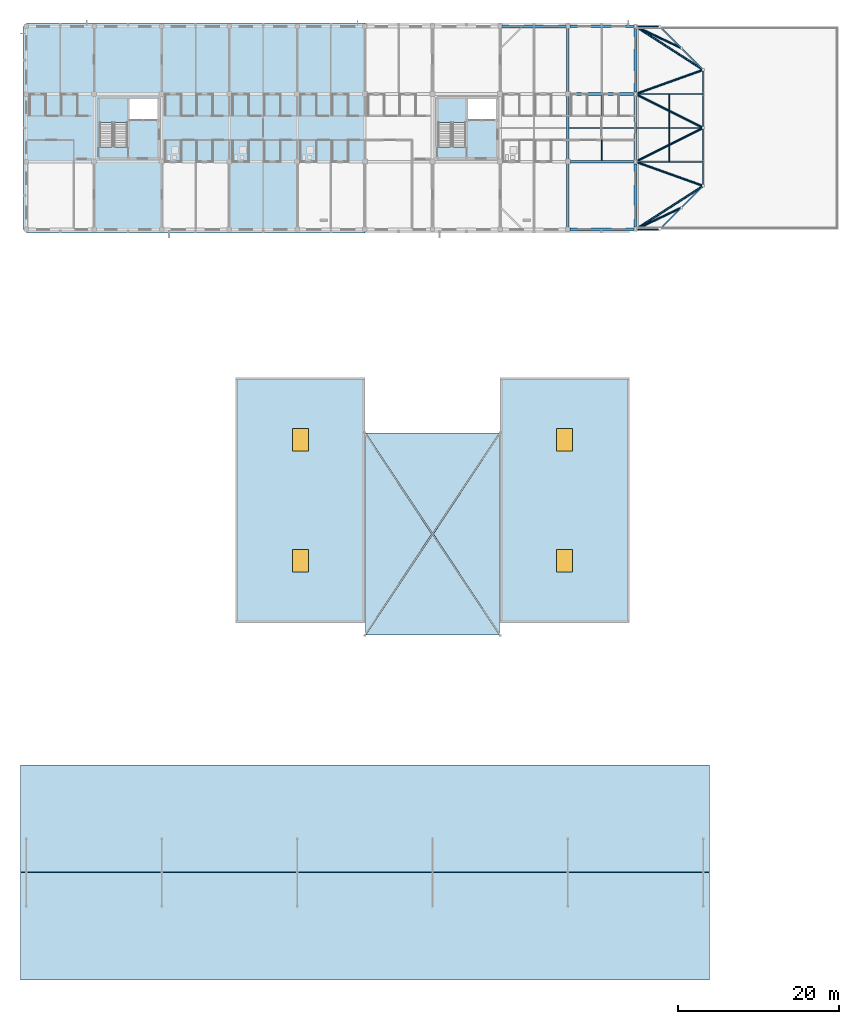
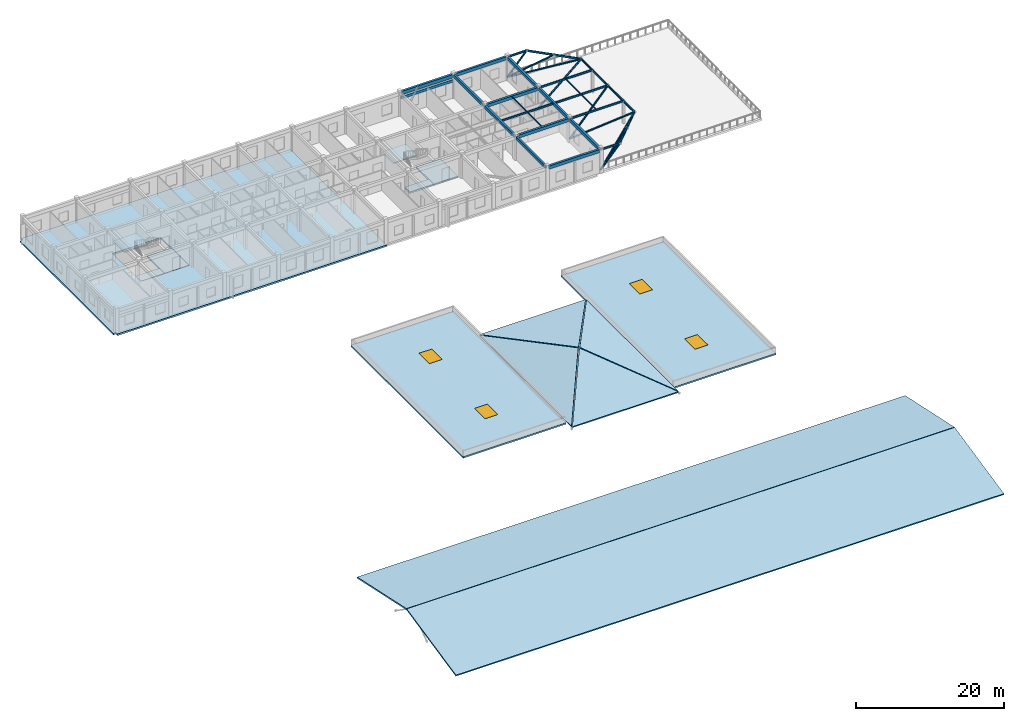
# One storey, part 4 of 21: 25 beams, 15 slabs, 10 members, 4 windows, 4 openings, 2 elements without a shape of their own.
"""IFC4 building model written with IfcOpenShell, lengths in metres."""

from ifc_helpers import new_model, si_unit, direction, frame, origin, origin_2d, place, context, subcontext, project, spatial, polyline, rectangle, hollow_circle, i_section, outline, extrude, material, layer, layer_set, material_profile, profile_set, type_object, element, fill, aggregate, save


model = new_model("IFC4")

# Units and contexts
model_context = context("Model", 3, precision=1e-05, world=origin(), true_north=direction((0.0, 1.0)))
body_context = subcontext(model_context, "Body", "Model", "MODEL_VIEW")
ifc_project = project(units=[si_unit("LENGTHUNIT", "METRE"), si_unit("AREAUNIT", "SQUARE_METRE"), si_unit("VOLUMEUNIT", "CUBIC_METRE"), si_unit("PLANEANGLEUNIT", "RADIAN"), si_unit("MASSUNIT", "GRAM", prefix="KILO")], contexts=[model_context])

# Site, building, storey
site_placement = place(None, origin())
site = spatial("IfcSite", under=ifc_project, at=site_placement, CompositionType="ELEMENT")
building_placement = place(site_placement, origin())
building = spatial("IfcBuilding", under=site, at=building_placement, Name="Trelvath General Hospital", CompositionType="ELEMENT")
storey_placement = place(building_placement, frame((0.0, 0.0, 28.800048828125)))
storey = spatial("IfcBuildingStorey", under=building, at=storey_placement, Name="L07", CompositionType="ELEMENT", Elevation=28.800048828125)

# Beams
ifc_material_1 = material(Name="Concrete C35/45", Category="concrete")
ifc_material_profile_1 = material_profile(ifc_material_1, rectangle(XDim=0.320068359375, YDim=0.47998046875, at=origin_2d()), Name="RCB320x480")
ifc_profile_set_1 = profile_set([ifc_material_profile_1], Name="Concrete C35/45")
beam_type_1 = type_object("IfcBeamType", Name="Beam RC320x480", PredefinedType="BEAM", material=ifc_profile_set_1)
beam_1_placement = place(storey_placement, frame((100.800048828125, 92.669921875, 3.679931640625), z_axis=(0.0, 1.0, 0.0), x_axis=(-1.0, 0.0, 0.0)))
element("IfcBeam", 1, at=beam_1_placement, inside=storey, type_object=beam_type_1, Name="Grid Beam BY-712L", PredefinedType="BEAM", context=body_context, shape_type="SweptSolid", body=[
    extrude(rectangle(XDim=0.320068359375, YDim=0.47998046875, at=origin_2d()), origin(), (0.0, 0.0, 1.0), 7.8251953125),
])
beam_2_placement = place(storey_placement, frame((100.800048828125, 101.10498046875, 3.679931640625), z_axis=(0.0, 1.0, 0.0), x_axis=(-1.0, 0.0, 0.0)))
element("IfcBeam", 2, at=beam_2_placement, inside=storey, type_object=beam_type_1, Name="Grid Beam BY-712M", PredefinedType="BEAM", context=body_context, shape_type="SweptSolid", body=[
    extrude(rectangle(XDim=0.320068359375, YDim=0.47998046875, at=origin_2d()), origin(), (0.0, 0.0, 1.0), 7.7900390625),
])
beam_3_placement = place(storey_placement, frame((100.800048828125, 109.5048828125, 3.679931640625), z_axis=(0.0, 1.0, 0.0), x_axis=(-1.0, 0.0, 0.0)))
element("IfcBeam", 3, at=beam_3_placement, inside=storey, type_object=beam_type_1, Name="Grid Beam BY-712N", PredefinedType="BEAM", context=body_context, shape_type="SweptSolid", body=[
    extrude(rectangle(XDim=0.320068359375, YDim=0.47998046875, at=origin_2d()), origin(), (0.0, 0.0, 1.0), 7.8251953125),
])
beam_4_placement = place(storey_placement, frame((109.199951171875, 92.669921875, 3.679931640625), z_axis=(0.0, 1.0, 0.0), x_axis=(-1.0, 0.0, 0.0)))
element("IfcBeam", 4, at=beam_4_placement, inside=storey, type_object=beam_type_1, Name="Grid Beam BY-713L", PredefinedType="BEAM", context=body_context, shape_type="SweptSolid", body=[
    extrude(rectangle(XDim=0.320068359375, YDim=0.47998046875, at=origin_2d()), origin(), (0.0, 0.0, 1.0), 7.860107421875),
])
beam_5_placement = place(storey_placement, frame((109.199951171875, 101.070068359375, 3.679931640625), z_axis=(0.0, 1.0, 0.0), x_axis=(-1.0, 0.0, 0.0)))
element("IfcBeam", 5, at=beam_5_placement, inside=storey, type_object=beam_type_1, Name="Grid Beam BY-713M", PredefinedType="BEAM", context=body_context, shape_type="SweptSolid", body=[
    extrude(rectangle(XDim=0.320068359375, YDim=0.47998046875, at=origin_2d()), origin(), (0.0, 0.0, 1.0), 7.85986328125),
])
beam_6_placement = place(storey_placement, frame((109.199951171875, 109.469970703125, 3.679931640625), z_axis=(0.0, 1.0, 0.0), x_axis=(-1.0, 0.0, 0.0)))
element("IfcBeam", 6, at=beam_6_placement, inside=storey, type_object=beam_type_1, Name="Grid Beam BY-713N", PredefinedType="BEAM", context=body_context, shape_type="SweptSolid", body=[
    extrude(rectangle(XDim=0.320068359375, YDim=0.47998046875, at=origin_2d()), origin(), (0.0, 0.0, 1.0), 7.860107421875),
])
ifc_material_2 = material(Name="Concrete C35/45", Category="concrete")
ifc_material_profile_2 = material_profile(ifc_material_2, rectangle(XDim=0.340087890625, YDim=0.52001953125, at=origin_2d()), Name="RCB340x520")
ifc_profile_set_2 = profile_set([ifc_material_profile_2], Name="Concrete C35/45")
beam_type_2 = type_object("IfcBeamType", Name="Beam RC340x520", PredefinedType="BEAM", material=ifc_profile_set_2)
beam_7_placement = place(storey_placement, frame((101.070068359375, 92.39990234375, 3.659912109375), z_axis=(1.0, 0.0, 0.0), x_axis=(0.0, 1.0, 0.0)))
element("IfcBeam", 7, at=beam_7_placement, inside=storey, type_object=beam_type_2, Name="Grid Beam BX-712L", PredefinedType="BEAM", context=body_context, shape_type="SweptSolid", body=[
    extrude(rectangle(XDim=0.340087890625, YDim=0.52001953125, at=origin_2d()), origin(), (0.0, 0.0, 1.0), 7.85986328125),
])
for number, where, z_axis, x_axis, name in (
    (8, (101.10498046875, 100.800048828125, 3.659912109375), (1.0, 0.0, 0.0), (0.0, 1.0, 0.0), "Grid Beam BX-712M"),
    (9, (101.10498046875, 109.199951171875, 3.659912109375), (1.0, 0.0, 0.0), (0.0, 1.0, 0.0), "Grid Beam BX-712N"),
):
    element("IfcBeam", number, at=place(storey_placement, frame(where, z_axis=z_axis, x_axis=x_axis)), inside=storey, type_object=beam_type_2, Name=name, PredefinedType="BEAM", context=body_context, shape_type="SweptSolid", body=[
        extrude(rectangle(XDim=0.340087890625, YDim=0.52001953125, at=origin_2d()), origin(), (0.0, 0.0, 1.0), 7.824951171875),
    ])
beam_8_placement = place(storey_placement, frame((101.070068359375, 117.60009765625, 3.659912109375), z_axis=(1.0, 0.0, 0.0), x_axis=(0.0, 1.0, 0.0)))
element("IfcBeam", 10, at=beam_8_placement, inside=storey, type_object=beam_type_2, Name="Grid Beam BX-712O", PredefinedType="BEAM", context=body_context, shape_type="SweptSolid", body=[
    extrude(rectangle(XDim=0.340087890625, YDim=0.52001953125, at=origin_2d()), origin(), (0.0, 0.0, 1.0), 7.85986328125),
])
ifc_material_3 = material(Name="Concrete C35/45", Category="concrete")
ifc_material_profile_3 = material_profile(ifc_material_3, rectangle(XDim=0.35009765625, YDim=0.550048828125, at=origin_2d()), Name="RCB350x550")
ifc_profile_set_3 = profile_set([ifc_material_profile_3], Name="Concrete C35/45")
beam_type_3 = type_object("IfcBeamType", Name="Beam RC350x550", PredefinedType="BEAM", material=ifc_profile_set_3)
beam_9_placement = place(storey_placement, frame((92.669921875, 117.60009765625, 3.64501953125), z_axis=(1.0, 0.0, 0.0), x_axis=(0.0, 1.0, 0.0)))
element("IfcBeam", 11, at=beam_9_placement, inside=storey, type_object=beam_type_3, Name="Grid Beam BX-711O", PredefinedType="BEAM", context=body_context, shape_type="SweptSolid", body=[
    extrude(rectangle(XDim=0.35009765625, YDim=0.550048828125, at=origin_2d()), origin(), (0.0, 0.0, 1.0), 7.860107421875),
])
ifc_material_4 = material(Name="Steel S355", Category="steel")
ifc_material_profile_4 = material_profile(ifc_material_4, i_section(OverallWidth=0.14990234375, OverallDepth=0.300048828125, WebThickness=0.007080078125, FlangeThickness=0.0107421875, at=origin_2d()), Name="IPE300")
ifc_profile_set_4 = profile_set([ifc_material_profile_4], Name="Steel S355")
beam_type_4 = type_object("IfcBeamType", Name="HelipadBeam IPE300", PredefinedType="BEAM", material=ifc_profile_set_4)
beam_10_placement = place(storey_placement, frame((109.199951171875, 92.39990234375, 3.7099609375), z_axis=(1.0, 0.0, 0.0), x_axis=(0.0, 1.0, 0.0)))
element("IfcBeam", 12, at=beam_10_placement, inside=storey, type_object=beam_type_4, Name="Helipad Octagonal Rim Beam 1", PredefinedType="BEAM", context=body_context, shape_type="SweptSolid", body=[
    extrude(i_section(OverallWidth=0.14990234375, OverallDepth=0.300048828125, WebThickness=0.007080078125, FlangeThickness=0.0107421875, at=origin_2d()), origin(), (0.0, 0.0, 1.0), 3.0),
])
beam_11_placement = place(storey_placement, frame((112.199951171875, 92.39990234375, 3.7099609375), z_axis=(0.707106781187, 0.707106781187, 0.0), x_axis=(-0.707106781187, 0.707106781187, 0.0)))
element("IfcBeam", 13, at=beam_11_placement, inside=storey, type_object=beam_type_4, Name="Helipad Octagonal Rim Beam 2", PredefinedType="BEAM", context=body_context, shape_type="SweptSolid", body=[
    extrude(i_section(OverallWidth=0.14990234375, OverallDepth=0.300048828125, WebThickness=0.007080078125, FlangeThickness=0.0107421875, at=origin_2d()), origin(), (0.0, 0.0, 1.0), 7.636962890625),
])
beam_12_placement = place(storey_placement, frame((117.60009765625, 97.800048828125, 3.7099609375), z_axis=(0.0, 1.0, 0.0), x_axis=(-1.0, 0.0, 0.0)))
element("IfcBeam", 14, at=beam_12_placement, inside=storey, type_object=beam_type_4, Name="Helipad Octagonal Rim Beam 3", PredefinedType="BEAM", context=body_context, shape_type="SweptSolid", body=[
    extrude(i_section(OverallWidth=0.14990234375, OverallDepth=0.300048828125, WebThickness=0.007080078125, FlangeThickness=0.0107421875, at=origin_2d()), origin(), (0.0, 0.0, 1.0), 14.39990234375),
])
beam_13_placement = place(storey_placement, frame((117.60009765625, 112.199951171875, 3.7099609375), z_axis=(-0.707106781187, 0.707106781187, 0.0), x_axis=(-0.707106781187, -0.707106781187, 0.0)))
element("IfcBeam", 15, at=beam_13_placement, inside=storey, type_object=beam_type_4, Name="Helipad Octagonal Rim Beam 4", PredefinedType="BEAM", context=body_context, shape_type="SweptSolid", body=[
    extrude(i_section(OverallWidth=0.14990234375, OverallDepth=0.300048828125, WebThickness=0.007080078125, FlangeThickness=0.0107421875, at=origin_2d()), origin(), (0.0, 0.0, 1.0), 7.636962890625),
])
beam_14_placement = place(storey_placement, frame((112.199951171875, 117.60009765625, 3.7099609375), z_axis=(-1.0, 0.0, 0.0), x_axis=(0.0, -1.0, 0.0)))
element("IfcBeam", 16, at=beam_14_placement, inside=storey, type_object=beam_type_4, Name="Helipad Octagonal Rim Beam 5", PredefinedType="BEAM", context=body_context, shape_type="SweptSolid", body=[
    extrude(i_section(OverallWidth=0.14990234375, OverallDepth=0.300048828125, WebThickness=0.007080078125, FlangeThickness=0.0107421875, at=origin_2d()), origin(), (0.0, 0.0, 1.0), 3.0),
])
beam_15_placement = place(storey_placement, frame((100.9599609375, 105.0, 3.7099609375), z_axis=(1.0, 0.0, 0.0), x_axis=(0.0, 1.0, 0.0)))
element("IfcBeam", 17, at=beam_15_placement, inside=storey, type_object=beam_type_4, Name="Helipad Stiffener Beam HB-X2", PredefinedType="BEAM", context=body_context, shape_type="SweptSolid", body=[
    extrude(i_section(OverallWidth=0.14990234375, OverallDepth=0.300048828125, WebThickness=0.007080078125, FlangeThickness=0.0107421875, at=origin_2d()), origin(), (0.0, 0.0, 1.0), 8.080078125),
])
for number, where, z_axis, x_axis, name in (
    (18, (109.360107421875, 105.0, 3.7099609375), (1.0, 0.0, 0.0), (0.0, 1.0, 0.0), "Helipad Stiffener Beam HB-X3"),
    (19, (109.360107421875, 100.800048828125, 3.7099609375), (1.0, 0.0, 0.0), (0.0, 1.0, 0.0), "Helipad Cantilever Girder HB-X4"),
    (20, (109.360107421875, 109.199951171875, 3.7099609375), (1.0, 0.0, 0.0), (0.0, 1.0, 0.0), "Helipad Cantilever Girder HB-X5"),
):
    element("IfcBeam", number, at=place(storey_placement, frame(where, z_axis=z_axis, x_axis=x_axis)), inside=storey, type_object=beam_type_4, Name=name, PredefinedType="BEAM", context=body_context, shape_type="SweptSolid", body=[
        extrude(i_section(OverallWidth=0.14990234375, OverallDepth=0.300048828125, WebThickness=0.007080078125, FlangeThickness=0.0107421875, at=origin_2d()), origin(), (0.0, 0.0, 1.0), 8.239990234375),
    ])
ifc_material_5 = material(Name="Steel S355", Category="steel")
ifc_material_profile_5 = material_profile(ifc_material_5, i_section(OverallWidth=0.10009765625, OverallDepth=0.199951171875, WebThickness=0.005615234375, FlangeThickness=0.008544921875, at=origin_2d()), Name="IPE200")
ifc_profile_set_5 = profile_set([ifc_material_profile_5], Name="Steel S355")
beam_type_5 = type_object("IfcBeamType", Name="HelipadJoist IPE200", PredefinedType="JOIST", material=ifc_profile_set_5)
for number, where, z_axis, x_axis, name in (
    (21, (105.0, 100.9599609375, 3.760009765625), (0.0, 1.0, 0.0), (-1.0, 0.0, 0.0), "Helipad Deck Joist HJ-3"),
    (22, (105.0, 105.074951171875, 3.760009765625), (0.0, 1.0, 0.0), (-1.0, 0.0, 0.0), "Helipad Deck Joist HJ-4"),
):
    element("IfcBeam", number, at=place(storey_placement, frame(where, z_axis=z_axis, x_axis=x_axis)), inside=storey, type_object=beam_type_5, Name=name, PredefinedType="JOIST", context=body_context, shape_type="SweptSolid", body=[
        extrude(i_section(OverallWidth=0.10009765625, OverallDepth=0.199951171875, WebThickness=0.005615234375, FlangeThickness=0.008544921875, at=origin_2d()), origin(), (0.0, 0.0, 1.0), 3.965087890625),
    ])
for number, where, z_axis, x_axis, name in (
    (23, (113.39990234375, 100.875, 3.760009765625), (0.0, 1.0, 0.0), (-1.0, 0.0, 0.0), "Helipad Deck Joist HJ-5"),
    (24, (113.39990234375, 105.074951171875, 3.760009765625), (0.0, 1.0, 0.0), (-1.0, 0.0, 0.0), "Helipad Deck Joist HJ-6"),
):
    element("IfcBeam", number, at=place(storey_placement, frame(where, z_axis=z_axis, x_axis=x_axis)), inside=storey, type_object=beam_type_5, Name=name, PredefinedType="JOIST", context=body_context, shape_type="SweptSolid", body=[
        extrude(i_section(OverallWidth=0.10009765625, OverallDepth=0.199951171875, WebThickness=0.005615234375, FlangeThickness=0.008544921875, at=origin_2d()), origin(), (0.0, 0.0, 1.0), 4.050048828125),
    ])

# Members
ifc_material_6 = material(Name="Steel S355", Category="steel")
ifc_material_profile_6 = material_profile(ifc_material_6, hollow_circle(Radius=0.136474609375, WallThickness=0.012451171875, at=origin_2d()), Name="CHS273.0x12.5")
ifc_profile_set_6 = profile_set([ifc_material_profile_6], Name="Steel S355")
member_type = type_object("IfcMemberType", Name="HelipadStrut CHS273", PredefinedType="STRUT", material=ifc_profile_set_6)
member_1_placement = place(storey_placement, frame((109.199951171875, 92.39990234375, 0.39990234375), z_axis=(0.671551306301, 0.0, 0.740958057521), x_axis=(0.0, 1.0, 0.0)))
element("IfcMember", 25, at=member_1_placement, inside=storey, type_object=member_type, Name="Helipad Cantilever Raking Strut HS-01", PredefinedType="STRUT", context=body_context, shape_type="SweptSolid", body=[
    extrude(hollow_circle(Radius=0.136474609375, WallThickness=0.012451171875, at=origin_2d()), origin(), (0.0, 0.0, 1.0), 4.46728515625),
])
member_2_placement = place(storey_placement, frame((109.199951171875, 92.39990234375, 0.39990234375), z_axis=(0.798456466811, 0.513298415712, 0.31462995254), x_axis=(-0.540761298198, 0.841176092368, 0.0)))
element("IfcMember", 26, at=member_2_placement, inside=storey, type_object=member_type, Name="Helipad Cantilever Raking Strut HS-02", PredefinedType="STRUT", context=body_context, shape_type="SweptSolid", body=[
    extrude(hollow_circle(Radius=0.136474609375, WallThickness=0.012451171875, at=origin_2d()), origin(), (0.0, 0.0, 1.0), 10.5205078125),
])
member_3_placement = place(storey_placement, frame((109.199951171875, 100.800048828125, 0.39990234375), z_axis=(0.882911367585, -0.315319989679, 0.347909213873), x_axis=(0.336331195321, 0.94174376932, 0.0)))
element("IfcMember", 27, at=member_3_placement, inside=storey, type_object=member_type, Name="Helipad Cantilever Raking Strut HS-03", PredefinedType="STRUT", context=body_context, shape_type="SweptSolid", body=[
    extrude(hollow_circle(Radius=0.136474609375, WallThickness=0.012451171875, at=origin_2d()), origin(), (0.0, 0.0, 1.0), 9.51416015625),
])
for number, where, z_axis, x_axis, name in (
    (28, (109.199951171875, 100.800048828125, 0.39990234375), (0.843571309281, 0.421773395924, 0.332407353481), (-0.447203197209, 0.89443239007, 0.0), "Helipad Cantilever Raking Strut HS-04"),
    (29, (109.199951171875, 109.199951171875, 0.39990234375), (0.843571309281, -0.421773395924, 0.332407353481), (0.447203197209, 0.89443239007, 0.0), "Helipad Cantilever Raking Strut HS-05"),
):
    element("IfcMember", number, at=place(storey_placement, frame(where, z_axis=z_axis, x_axis=x_axis)), inside=storey, type_object=member_type, Name=name, PredefinedType="STRUT", context=body_context, shape_type="SweptSolid", body=[
        extrude(hollow_circle(Radius=0.136474609375, WallThickness=0.012451171875, at=origin_2d()), origin(), (0.0, 0.0, 1.0), 9.957763671875),
    ])
member_4_placement = place(storey_placement, frame((109.199951171875, 109.199951171875, 0.39990234375), z_axis=(0.882911367585, 0.315319989679, 0.347909213873), x_axis=(-0.336331195321, 0.94174376932, 0.0)))
element("IfcMember", 30, at=member_4_placement, inside=storey, type_object=member_type, Name="Helipad Cantilever Raking Strut HS-06", PredefinedType="STRUT", context=body_context, shape_type="SweptSolid", body=[
    extrude(hollow_circle(Radius=0.136474609375, WallThickness=0.012451171875, at=origin_2d()), origin(), (0.0, 0.0, 1.0), 9.51416015625),
])
member_5_placement = place(storey_placement, frame((109.199951171875, 117.60009765625, 0.39990234375), z_axis=(0.798456466811, -0.513298415712, 0.31462995254), x_axis=(0.540761298198, 0.841176092368, 0.0)))
element("IfcMember", 31, at=member_5_placement, inside=storey, type_object=member_type, Name="Helipad Cantilever Raking Strut HS-07", PredefinedType="STRUT", context=body_context, shape_type="SweptSolid", body=[
    extrude(hollow_circle(Radius=0.136474609375, WallThickness=0.012451171875, at=origin_2d()), origin(), (0.0, 0.0, 1.0), 10.5205078125),
])
member_6_placement = place(storey_placement, frame((109.199951171875, 117.60009765625, 0.39990234375), z_axis=(0.671551306301, 0.0, 0.740958057521), x_axis=(0.0, 1.0, 0.0)))
element("IfcMember", 32, at=member_6_placement, inside=storey, type_object=member_type, Name="Helipad Cantilever Raking Strut HS-08", PredefinedType="STRUT", context=body_context, shape_type="SweptSolid", body=[
    extrude(hollow_circle(Radius=0.136474609375, WallThickness=0.012451171875, at=origin_2d()), origin(), (0.0, 0.0, 1.0), 4.46728515625),
])
for number, where, z_axis, x_axis, name in (
    (33, (109.199951171875, 92.39990234375, 0.39990234375), (0.800218897297, 0.379081723738, 0.464700724271), (-0.428114631419, 0.903724439398, 0.0), "Helipad Cantilever Raking Strut HS-09"),
    (34, (109.199951171875, 117.60009765625, 0.39990234375), (0.800218897297, -0.379081723738, 0.464700724271), (0.428114631419, 0.903724439398, 0.0), "Helipad Cantilever Raking Strut HS-10"),
):
    element("IfcMember", number, at=place(storey_placement, frame(where, z_axis=z_axis, x_axis=x_axis)), inside=storey, type_object=member_type, Name=name, PredefinedType="STRUT", context=body_context, shape_type="SweptSolid", body=[
        extrude(hollow_circle(Radius=0.136474609375, WallThickness=0.012451171875, at=origin_2d()), origin(), (0.0, 0.0, 1.0), 7.123046875),
    ])

# Beam
ifc_material_7 = material(Name="Precast concrete C40/50", Category="concrete")
ifc_material_profile_7 = material_profile(ifc_material_7, rectangle(XDim=0.35009765625, YDim=0.419921875, at=origin_2d()), Name="PCL350x420")
ifc_profile_set_7 = profile_set([ifc_material_profile_7], Name="Precast concrete C40/50")
beam_type_6 = type_object("IfcBeamType", Name="Lintel PC350x420", PredefinedType="LINTEL", material=ifc_profile_set_7)
beam_16_placement = place(storey_placement, frame((92.590087890625, 117.60009765625, 2.869873046875), z_axis=(1.0, 0.0, 0.0), x_axis=(0.0, 1.0, 0.0)))
element("IfcBeam", 35, at=beam_16_placement, inside=storey, type_object=beam_type_6, Name="Precast Window Brow Lintel L07-626", PredefinedType="LINTEL", context=body_context, shape_type="SweptSolid", body=[
    extrude(rectangle(XDim=0.35009765625, YDim=0.419921875, at=origin_2d()), origin(), (0.0, 0.0, 1.0), 8.02001953125),
])

# Slabs
ifc_material_8 = material(Name="Concrete C35/45", Category="concrete")
ifc_layer_1 = layer(ifc_material_8, 0.260009765625)
ifc_layer_set_1 = layer_set([ifc_layer_1], Name="Concrete C35/45")
slab_type_1 = type_object("IfcSlabType", Name="FlatSlab Ward260", PredefinedType="FLOOR", material=ifc_layer_set_1)
slab_1_placement = place(storey_placement, frame((0.0, 0.0, -0.260009765625)))
element("IfcSlab", 36, at=slab_1_placement, inside=storey, type_object=slab_type_1, Name="Floor Slab SL-L07-V5-N1", PredefinedType="FLOOR", context=body_context, shape_type="SweptSolid", body=[
    extrude(outline(polyline([(75.580078125, 92.3798828125), (75.60009765625, 92.3798828125), (75.60009765625, 91.97998046875), (33.60009765625, 91.97998046875), (33.60009765625, 92.39990234375), (33.179931640625, 92.39990234375), (33.179931640625, 117.60009765625), (33.60009765625, 117.60009765625), (33.60009765625, 118.02001953125), (75.60009765625, 118.02001953125), (75.60009765625, 117.6201171875), (75.580078125, 117.6201171875), (75.60009765625, 117.60009765625), (75.60009765625, 92.39990234375), (75.580078125, 92.3798828125)]), holes=[polyline([(42.550048828125, 101.199951171875), (50.050048828125, 101.199951171875), (50.050048828125, 108.75), (42.550048828125, 108.75), (42.550048828125, 101.199951171875)])]), origin(), (0.0, 0.0, 1.0), 0.260009765625),
])
slab_2_placement = place(storey_placement, frame((0.0, 0.0, -0.260009765625)))
element("IfcSlab", 37, at=slab_2_placement, inside=storey, type_object=slab_type_1, Name="Core Lobby Slab C1 L07", PredefinedType="FLOOR", context=body_context, shape_type="SweptSolid", body=[
    extrude(outline(polyline([(46.25, 101.199951171875), (50.050048828125, 101.199951171875), (50.050048828125, 105.949951171875), (46.25, 105.949951171875), (46.25, 101.199951171875)])), origin(), (0.0, 0.0, 1.0), 0.260009765625),
])
slab_3_placement = place(storey_placement, frame((0.0, 0.0, -0.260009765625)))
element("IfcSlab", 38, at=slab_3_placement, inside=storey, type_object=slab_type_1, Name="Stair Landing Slab C1 L07", PredefinedType="FLOOR", context=body_context, shape_type="SweptSolid", body=[
    extrude(outline(polyline([(42.550048828125, 101.199951171875), (46.25, 101.199951171875), (46.25, 102.60009765625), (42.550048828125, 102.60009765625), (42.550048828125, 101.199951171875)])), origin(), (0.0, 0.0, 1.0), 0.260009765625),
])
slab_4_placement = place(storey_placement, frame((0.0, 0.0, -0.260009765625)))
element("IfcSlab", 39, at=slab_4_placement, inside=storey, type_object=slab_type_1, Name="Core Lobby Slab C2 L07", PredefinedType="FLOOR", context=body_context, shape_type="SweptSolid", body=[
    extrude(outline(polyline([(88.25, 101.199951171875), (92.050048828125, 101.199951171875), (92.050048828125, 105.949951171875), (88.25, 105.949951171875), (88.25, 101.199951171875)])), origin(), (0.0, 0.0, 1.0), 0.260009765625),
])
slab_5_placement = place(storey_placement, frame((0.0, 0.0, -0.260009765625)))
element("IfcSlab", 40, at=slab_5_placement, inside=storey, type_object=slab_type_1, Name="Stair Landing Slab C2 L07", PredefinedType="FLOOR", context=body_context, shape_type="SweptSolid", body=[
    extrude(outline(polyline([(84.550048828125, 101.199951171875), (88.25, 101.199951171875), (88.25, 102.60009765625), (84.550048828125, 102.60009765625), (84.550048828125, 101.199951171875)])), origin(), (0.0, 0.0, 1.0), 0.260009765625),
])

# Slab, openings, windows
ifc_material_9 = material(Name="Concrete C35/45", Category="concrete")
ifc_layer_2 = layer(ifc_material_9, 0.25)
ifc_layer_set_2 = layer_set([ifc_layer_2], Name="Concrete C35/45")
slab_type_2 = type_object("IfcSlabType", Name="RoofSlab Flat250", PredefinedType="ROOF", material=ifc_layer_set_2)
slab_6_placement = place(storey_placement, frame((0.0, 0.0, -0.25)))
slab_6 = element("IfcSlab", 41, at=slab_6_placement, inside=storey, type_object=slab_type_2, Name="Crystal Cube Crown Roof CUBE-W-CROWN", PredefinedType="ROOF", context=body_context, shape_type="SweptSolid", body=[
    extrude(outline(polyline([(59.60009765625, 43.60009765625), (75.60009765625, 43.60009765625), (75.60009765625, 74.0), (59.60009765625, 74.0), (59.60009765625, 43.60009765625)])), origin(), (0.0, 0.0, 1.0), 0.25),
])
opening_1_placement = place(slab_6_placement, frame((67.60009765625, 51.300048828125, 0.0)))
opening_1 = element("IfcOpeningElement", 42, at=opening_1_placement, cuts=slab_6, Name="Opening SK-CW1", PredefinedType="OPENING", context=body_context, shape_type="SweptSolid", body=[
    extrude(rectangle(XDim=2.0, YDim=2.800048828125, at=origin_2d()), origin(), (0.0, 0.0, 1.0), 0.25),
])
opening_2_placement = place(slab_6_placement, frame((67.60009765625, 66.300048828125, 0.0)))
opening_2 = element("IfcOpeningElement", 43, at=opening_2_placement, cuts=slab_6, Name="Opening SK-CW2", PredefinedType="OPENING", context=body_context, shape_type="SweptSolid", body=[
    extrude(rectangle(XDim=2.0, YDim=2.800048828125, at=origin_2d()), origin(), (0.0, 0.0, 1.0), 0.25),
])
ifc_material_10 = material(Name="Low-E laminated glass", Category="glass")
window_type = type_object("IfcWindowType", Name="Skylight ClinicCourt 2000x2800", PartitioningType="SINGLE_PANEL", PredefinedType="SKYLIGHT", material=ifc_material_10)
window_1_placement = place(opening_1_placement, frame((0.0, 0.0, 0.199951171875)))
window_1 = element("IfcWindow", 44, at=window_1_placement, inside=storey, type_object=window_type, Name="Crystal Cube Crown Skylight SK-CW-1", OverallHeight=2.800048828125, OverallWidth=2.0, PartitioningType="SINGLE_PANEL", PredefinedType="SKYLIGHT", context=body_context, shape_type="SweptSolid", body=[
    extrude(rectangle(XDim=2.0, YDim=2.800048828125, at=origin_2d()), origin(), (0.0, 0.0, 1.0), 0.050048828125),
])
fill(opening_1, window_1)
window_2_placement = place(opening_2_placement, frame((0.0, 0.0, 0.199951171875)))
window_2 = element("IfcWindow", 45, at=window_2_placement, inside=storey, type_object=window_type, Name="Crystal Cube Crown Skylight SK-CW-2", OverallHeight=2.800048828125, OverallWidth=2.0, PartitioningType="SINGLE_PANEL", PredefinedType="SKYLIGHT", context=body_context, shape_type="SweptSolid", body=[
    extrude(rectangle(XDim=2.0, YDim=2.800048828125, at=origin_2d()), origin(), (0.0, 0.0, 1.0), 0.050048828125),
])
fill(opening_2, window_2)

slab_7_placement = place(storey_placement, frame((0.0, 0.0, -0.25)))
slab_7 = element("IfcSlab", 46, at=slab_7_placement, inside=storey, type_object=slab_type_2, Name="Crystal Cube Crown Roof CUBE-E-CROWN", PredefinedType="ROOF", context=body_context, shape_type="SweptSolid", body=[
    extrude(outline(polyline([(92.39990234375, 43.60009765625), (108.39990234375, 43.60009765625), (108.39990234375, 74.0), (92.39990234375, 74.0), (92.39990234375, 43.60009765625)])), origin(), (0.0, 0.0, 1.0), 0.25),
])
opening_3_placement = place(slab_7_placement, frame((100.39990234375, 51.300048828125, 0.0)))
opening_3 = element("IfcOpeningElement", 47, at=opening_3_placement, cuts=slab_7, Name="Opening SK-CE1", PredefinedType="OPENING", context=body_context, shape_type="SweptSolid", body=[
    extrude(rectangle(XDim=2.0, YDim=2.800048828125, at=origin_2d()), origin(), (0.0, 0.0, 1.0), 0.25),
])
opening_4_placement = place(slab_7_placement, frame((100.39990234375, 66.300048828125, 0.0)))
opening_4 = element("IfcOpeningElement", 48, at=opening_4_placement, cuts=slab_7, Name="Opening SK-CE2", PredefinedType="OPENING", context=body_context, shape_type="SweptSolid", body=[
    extrude(rectangle(XDim=2.0, YDim=2.800048828125, at=origin_2d()), origin(), (0.0, 0.0, 1.0), 0.25),
])
window_3_placement = place(opening_3_placement, frame((0.0, 0.0, 0.199951171875)))
window_3 = element("IfcWindow", 49, at=window_3_placement, inside=storey, type_object=window_type, Name="Crystal Cube Crown Skylight SK-CE-1", OverallHeight=2.800048828125, OverallWidth=2.0, PartitioningType="SINGLE_PANEL", PredefinedType="SKYLIGHT", context=body_context, shape_type="SweptSolid", body=[
    extrude(rectangle(XDim=2.0, YDim=2.800048828125, at=origin_2d()), origin(), (0.0, 0.0, 1.0), 0.050048828125),
])
fill(opening_3, window_3)
window_4_placement = place(opening_4_placement, frame((0.0, 0.0, 0.199951171875)))
window_4 = element("IfcWindow", 50, at=window_4_placement, inside=storey, type_object=window_type, Name="Crystal Cube Crown Skylight SK-CE-2", OverallHeight=2.800048828125, OverallWidth=2.0, PartitioningType="SINGLE_PANEL", PredefinedType="SKYLIGHT", context=body_context, shape_type="SweptSolid", body=[
    extrude(rectangle(XDim=2.0, YDim=2.800048828125, at=origin_2d()), origin(), (0.0, 0.0, 1.0), 0.050048828125),
])
fill(opening_4, window_4)

# Slabs
ifc_material_11 = material(Name="Concrete C35/45", Category="concrete")
ifc_layer_3 = layer(ifc_material_11, 0.219970703125)
ifc_layer_set_3 = layer_set([ifc_layer_3], Name="Concrete C35/45")
slab_type_3 = type_object("IfcSlabType", Name="RoofSlab Folded220", PredefinedType="ROOF", material=ifc_layer_set_3)
slab_8_placement = place(storey_placement, frame((75.719970703125, 42.06005859375, 0.239990234375), z_axis=(0.0, -0.201881068577, 0.97941004393), x_axis=(1.0, 0.0, 0.0)))
element("IfcSlab", 51, at=slab_8_placement, inside=storey, type_object=slab_type_3, Name="Central Core Sculpted Crown Facet S", PredefinedType="ROOF", context=body_context, shape_type="SweptSolid", body=[
    extrude(outline(polyline([(0.0, 0.0), (16.56005859375, 0.0), (8.280029296875, 12.681023593722108), (0.0, 0.0)])), origin(), (0.0, 0.0, -1.0), 0.219970703125),
])
slab_9_placement = place(storey_placement, frame((92.340087890625, 42.179931640625, 0.239990234375), z_axis=(0.297356114273, 0.0, 0.954766642329), x_axis=(0.0, 1.0, 0.0)))
element("IfcSlab", 52, at=slab_9_placement, inside=storey, type_object=slab_type_3, Name="Central Core Sculpted Crown Facet E", PredefinedType="ROOF", context=body_context, shape_type="SweptSolid", body=[
    extrude(outline(polyline([(0.0, 0.0), (24.840087890625, 0.0), (12.420166015625, 8.609402904015269), (0.0, 0.0)])), origin(), (0.0, 0.0, -1.0), 0.219970703125),
])
slab_10_placement = place(storey_placement, frame((92.280029296875, 67.139892578125, 0.239990234375), z_axis=(0.0, 0.201881068577, 0.97941004393), x_axis=(-1.0, 0.0, 0.0)))
element("IfcSlab", 53, at=slab_10_placement, inside=storey, type_object=slab_type_3, Name="Central Core Sculpted Crown Facet N", PredefinedType="ROOF", context=body_context, shape_type="SweptSolid", body=[
    extrude(outline(polyline([(0.0, 0.0), (16.56005859375, 0.0), (8.280029296875, 12.681023593722108), (0.0, 0.0)])), origin(), (0.0, 0.0, -1.0), 0.219970703125),
])
slab_11_placement = place(storey_placement, frame((75.659912109375, 67.02001953125, 0.239990234375), z_axis=(-0.297356114273, 0.0, 0.954766642329), x_axis=(0.0, -1.0, 0.0)))
element("IfcSlab", 54, at=slab_11_placement, inside=storey, type_object=slab_type_3, Name="Central Core Sculpted Crown Facet W", PredefinedType="ROOF", context=body_context, shape_type="SweptSolid", body=[
    extrude(outline(polyline([(0.0, 0.0), (24.840087890625, 0.0), (12.419921875, 8.609402904015269), (0.0, 0.0)])), origin(), (0.0, 0.0, -1.0), 0.219970703125),
])
for number, where, z_axis, x_axis, name in (
    (55, (32.85009765625, -0.75, 0.239990234375), (0.0, -0.209845939094, 0.977734463873), (1.0, 0.0, 0.0), "South Ward Sculpted Folded Concrete Roof S"),
    (56, (32.85009765625, 12.625, 3.099853515625), (0.0, 0.209845939094, 0.977734463873), (1.0, 0.0, 0.0), "South Ward Sculpted Folded Concrete Roof N"),
):
    element("IfcSlab", number, at=place(storey_placement, frame(where, z_axis=z_axis, x_axis=x_axis)), inside=storey, type_object=slab_type_3, Name=name, PredefinedType="ROOF", context=body_context, shape_type="SweptSolid", body=[
        extrude(outline(polyline([(0.0, 0.0), (85.5, 0.0), (85.5, 13.628394686106466), (0.0, 13.628394686106466), (0.0, 0.0)])), origin(), (0.0, 0.0, -1.0), 0.219970703125),
    ])

# Stair, slab
ifc_material_12 = material(Name="Concrete C35/45", Category="concrete")
stair_type = type_object("IfcStairType", Name="Stair Stretcher420", PredefinedType="TWO_STRAIGHT_RUN_STAIR", material=ifc_material_12)
stair_1_placement = place(storey_placement, origin())
stair_1 = element("IfcStair", 57, at=stair_1_placement, inside=storey, type_object=stair_type, Name="Exit Stair ST1 L07", PredefinedType="TWO_STRAIGHT_RUN_STAIR")
ifc_material_13 = material(Name="Concrete C35/45", Category="concrete")
ifc_layer_4 = layer(ifc_material_13, 0.199951171875)
ifc_layer_set_4 = layer_set([ifc_layer_4], Name="Concrete C35/45")
slab_type_4 = type_object("IfcSlabType", Name="StairLanding 200", PredefinedType="LANDING", material=ifc_layer_set_4)
slab_12_placement = place(storey_placement, frame((0.0, 0.0, 1.89990234375)))
slab_12 = element("IfcSlab", 58, at=slab_12_placement, type_object=slab_type_4, Name="ST1-L07 landing 1", PredefinedType="LANDING", context=body_context, shape_type="SweptSolid", body=[
    extrude(outline(polyline([(42.56005859375, 105.679931640625), (46.239990234375, 105.679931640625), (46.239990234375, 108.739990234375), (42.56005859375, 108.739990234375), (42.56005859375, 105.679931640625)])), origin(), (0.0, 0.0, 1.0), 0.199951171875),
])
aggregate(stair_1, [slab_12])

stair_2_placement = place(storey_placement, origin())
stair_2 = element("IfcStair", 59, at=stair_2_placement, inside=storey, type_object=stair_type, Name="Exit Stair ST2 L07", PredefinedType="TWO_STRAIGHT_RUN_STAIR")
slab_13_placement = place(storey_placement, frame((0.0, 0.0, 1.89990234375)))
slab_13 = element("IfcSlab", 60, at=slab_13_placement, type_object=slab_type_4, Name="ST2-L07 landing 1", PredefinedType="LANDING", context=body_context, shape_type="SweptSolid", body=[
    extrude(outline(polyline([(84.56005859375, 105.679931640625), (88.239990234375, 105.679931640625), (88.239990234375, 108.739990234375), (84.56005859375, 108.739990234375), (84.56005859375, 105.679931640625)])), origin(), (0.0, 0.0, 1.0), 0.199951171875),
])
aggregate(stair_2, [slab_13])

save(model, "model.ifc")
